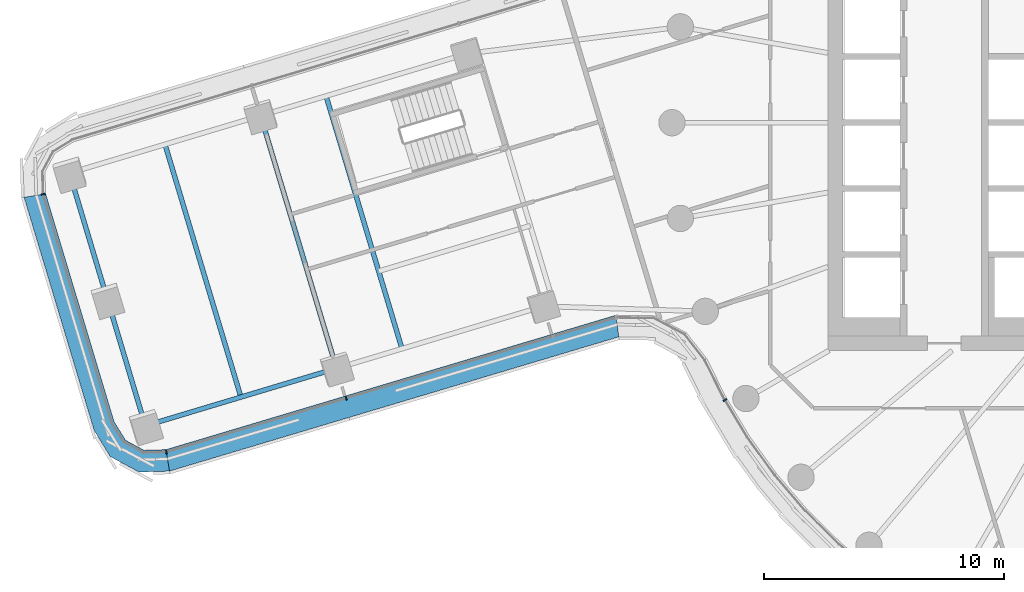
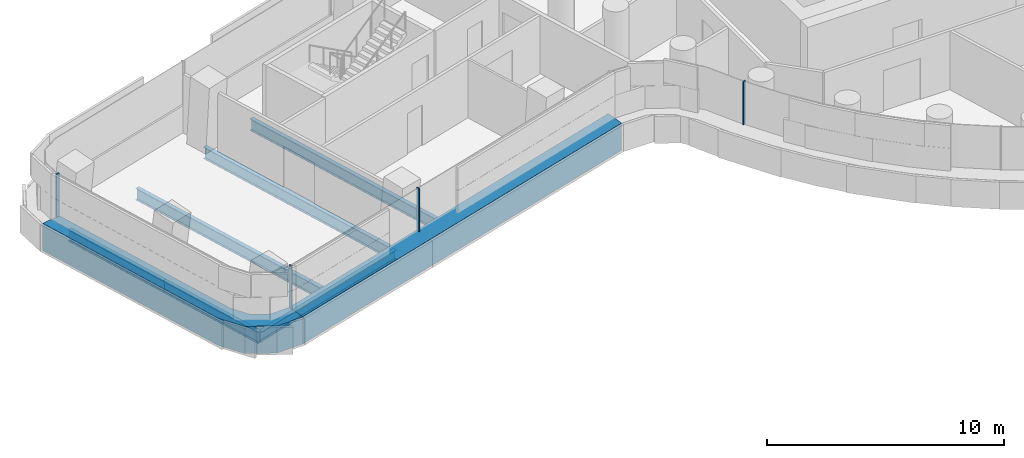
# One storey, part 4 of 32: 6 beams, 6 members, 3 elements without a shape of their own.
"""IFC4 building model written with IfcOpenShell, lengths in metres."""

from ifc_helpers import new_model, si_unit, direction, frame, origin, origin_2d, place, context, subcontext, project, spatial, polyline, rectangle, i_section, outline, extrude, material, layer, layer_set, material_profile, profile_set, type_object, element, aggregate, save


model = new_model("IFC4")

# Units and contexts
model_context = context("Model", 3, precision=1e-05, world=origin(), true_north=direction((0.0, 1.0)))
body_context = subcontext(model_context, "Body", "Model", "MODEL_VIEW")
ifc_project = project(units=[si_unit("LENGTHUNIT", "METRE"), si_unit("AREAUNIT", "SQUARE_METRE"), si_unit("VOLUMEUNIT", "CUBIC_METRE"), si_unit("PLANEANGLEUNIT", "RADIAN"), si_unit("MASSUNIT", "GRAM", prefix="KILO")], contexts=[model_context])

# Site, building, storey
site_placement = place(None, origin())
site = spatial("IfcSite", under=ifc_project, at=site_placement, CompositionType="ELEMENT")
building_placement = place(site_placement, origin())
building = spatial("IfcBuilding", under=site, at=building_placement, Name="Tamarind Cross Interchange Tower", CompositionType="ELEMENT")
storey_placement = place(building_placement, frame((0.0, 0.0, 94.75)))
storey = spatial("IfcBuildingStorey", under=building, at=storey_placement, Name="L22", CompositionType="ELEMENT", Elevation=94.75)

# Beams
ifc_material_1 = material(Name="Steel Q355B", Category="steel")
ifc_material_profile_1 = material_profile(ifc_material_1, i_section(OverallWidth=0.198974609375, OverallDepth=0.49609375, WebThickness=0.009033203125, FlangeThickness=0.013916015625, FilletRadius=0.012939453125, at=origin_2d()), Name="HN 496x199x9x14")
ifc_profile_set_1 = profile_set([ifc_material_profile_1], Name="Steel Q355B")
beam_type_1 = type_object("IfcBeamType", Name="Composite beam HN 496x199x9x14 Q355B", PredefinedType="BEAM", material=ifc_profile_set_1)
beam_1_placement = place(storey_placement, frame((-44.955810546875, -12.63720703125, -0.387939453125), z_axis=(0.957731748837, 0.287662818713, 0.0), x_axis=(-0.287662818713, 0.957731748837, 0.0)))
element("IfcBeam", 1, at=beam_1_placement, inside=storey, type_object=beam_type_1, Name="Beam W-edgeep2", PredefinedType="BEAM", context=body_context, shape_type="SweptSolid", body=[
    extrude(i_section(OverallWidth=0.198974609375, OverallDepth=0.49609375, WebThickness=0.009033203125, FlangeThickness=0.013916015625, FilletRadius=0.012939453125, at=origin_2d()), origin(), (0.0, 0.0, 1.0), 8.32080078125),
])
ifc_material_profile_2 = material_profile(ifc_material_1, i_section(OverallWidth=0.199951171875, OverallDepth=0.60009765625, WebThickness=0.010986328125, FlangeThickness=0.01708984375, FilletRadius=0.012939453125, at=origin_2d()), Name="HN 600x200x11x17")
ifc_profile_set_2 = profile_set([ifc_material_profile_2], Name="Steel Q355B")
beam_type_2 = type_object("IfcBeamType", Name="Composite beam HN 600x200x11x17 Q355B", PredefinedType="BEAM", material=ifc_profile_set_2)
for number, where, z_axis, x_axis, name in (
    (2, (-48.119873046875, -2.10205078125, -0.43994140625), (0.287641084217, -0.957738276707, 0.0), (0.957738276707, 0.287641084217, 0.0), "Beam W-tip0"),
    (3, (-46.537841796875, -7.36962890625, -0.43994140625), (0.287641084217, -0.957738276707, 0.0), (0.957738276707, 0.287641084217, 0.0), "Beam W-tip1"),
):
    element("IfcBeam", number, at=place(storey_placement, frame(where, z_axis=z_axis, x_axis=x_axis)), inside=storey, type_object=beam_type_2, Name=name, PredefinedType="BEAM", context=body_context, shape_type="SweptSolid", body=[
        extrude(i_section(OverallWidth=0.199951171875, OverallDepth=0.60009765625, WebThickness=0.010986328125, FlangeThickness=0.01708984375, FilletRadius=0.012939453125, at=origin_2d()), origin(), (0.0, 0.0, 1.0), 5.5),
    ])
beam_2_placement = place(storey_placement, frame((-37.42138671875, 1.111083984375, -0.43994140625), z_axis=(0.287641084217, -0.957738276707, 0.0), x_axis=(0.957738276707, 0.287641084217, 0.0)))
element("IfcBeam", 4, at=beam_2_placement, inside=storey, type_object=beam_type_2, Name="Beam W-x364", PredefinedType="BEAM", context=body_context, shape_type="SweptSolid", body=[
    extrude(i_section(OverallWidth=0.199951171875, OverallDepth=0.60009765625, WebThickness=0.010986328125, FlangeThickness=0.01708984375, FilletRadius=0.012939453125, at=origin_2d()), origin(), (0.0, 0.0, 1.0), 11.0),
])
beam_3_placement = place(storey_placement, frame((-40.15087890625, 0.291259765625, -0.43994140625), z_axis=(0.287647198598, -0.957736440331, 0.0), x_axis=(0.957736440331, 0.287647198598, 0.0)))
element("IfcBeam", 5, at=beam_3_placement, inside=storey, type_object=beam_type_2, Name="Beam W-x393", PredefinedType="BEAM", context=body_context, shape_type="SweptSolid", body=[
    extrude(i_section(OverallWidth=0.199951171875, OverallDepth=0.60009765625, WebThickness=0.010986328125, FlangeThickness=0.01708984375, FilletRadius=0.012939453125, at=origin_2d()), origin(), (0.0, 0.0, 1.0), 10.999755859375),
])
beam_4_placement = place(storey_placement, frame((-44.135498046875, -0.9052734375, -0.43994140625), z_axis=(0.287641084217, -0.957738276707, 0.0), x_axis=(0.957738276707, 0.287641084217, 0.0)))
element("IfcBeam", 6, at=beam_4_placement, inside=storey, type_object=beam_type_2, Name="Beam W-x435", PredefinedType="BEAM", context=body_context, shape_type="SweptSolid", body=[
    extrude(i_section(OverallWidth=0.199951171875, OverallDepth=0.60009765625, WebThickness=0.010986328125, FlangeThickness=0.01708984375, FilletRadius=0.012939453125, at=origin_2d()), origin(), (0.0, 0.0, 1.0), 11.0),
])

# Curtain wall, member
ifc_material_2 = material(Name="Aluminium 6063-T6", Category="aluminium")
ifc_layer = layer(ifc_material_2, 0.159912109375)
ifc_layer_set = layer_set([ifc_layer], Name="Aluminium 6063-T6")
curtain_wall_type = type_object("IfcCurtainWallType", Name="Office curtain wall, 9.0 m bays", PredefinedType="NOTDEFINED", material=ifc_layer_set)
curtain_wall_1_placement = place(storey_placement, origin())
curtain_wall_1 = element("IfcCurtainWall", 7, at=curtain_wall_1_placement, inside=storey, type_object=curtain_wall_type, Name="CWS-L22-04", PredefinedType="NOTDEFINED")
ifc_material_3 = material(Name="Aluminium and insulated spandrel panel", Category="aluminium")
member_type_1 = type_object("IfcMemberType", Name="Floor-edge blade transom", PredefinedType="USERDEFINED", material=ifc_material_3)
member_1_placement = place(storey_placement, origin())
member_1 = element("IfcMember", 8, at=member_1_placement, type_object=member_type_1, Name="CWT-L22-04", ObjectType="TRANSOM", PredefinedType="USERDEFINED", context=body_context, shape_type="SweptSolid", body=[
    extrude(outline(polyline([(-49.114013671875, -2.9638671875), (-46.26025390625, -12.465576171875), (-45.779052734375, -13.244384765625), (-45.009033203125, -13.65869140625), (-44.09375, -13.631103515625), (-43.948974609375, -14.52734375), (-45.22314453125, -14.5654296875), (-46.41796875, -13.922607421875), (-47.088134765625, -12.837890625), (-50.010009765625, -3.109375), (-49.114013671875, -2.9638671875)])), origin(), (0.0, 0.0, 1.0), 1.39990234375),
])

curtain_wall_2_placement = place(storey_placement, origin())
curtain_wall_2 = element("IfcCurtainWall", 9, at=curtain_wall_2_placement, inside=storey, type_object=curtain_wall_type, Name="CWS-L22-05", PredefinedType="NOTDEFINED")
member_2_placement = place(storey_placement, origin())
member_2 = element("IfcMember", 10, at=member_2_placement, type_object=member_type_1, Name="CWT-L22-05", ObjectType="TRANSOM", PredefinedType="USERDEFINED", context=body_context, shape_type="SweptSolid", body=[
    extrude(outline(polyline([(-44.09375, -13.631103515625), (-25.339111328125, -8.027099609375), (-25.2138671875, -8.928955078125), (-43.948974609375, -14.52734375), (-44.09375, -13.631103515625)])), origin(), (0.0, 0.0, 1.0), 1.39990234375),
])

# Member
ifc_material_profile_3 = material_profile(ifc_material_2, rectangle(XDim=0.06005859375, YDim=0.159912109375, at=origin_2d()), Name="Mullion CW1")
ifc_profile_set_3 = profile_set([ifc_material_profile_3], Name="Aluminium 6063-T6")
member_type_2 = type_object("IfcMemberType", Name="Mullion CW1", PredefinedType="MULLION", material=ifc_profile_set_3)
member_3_placement = place(storey_placement, frame((-49.213623046875, -2.97998046875, 1.39990234375), z_axis=(0.0, 0.0, 1.0), x_axis=(0.160170624285, -0.987089343026, 0.0)))
member_3 = element("IfcMember", 11, at=member_3_placement, type_object=member_type_2, Name="CWM-L22-04-00", PredefinedType="MULLION", context=body_context, shape_type="SweptSolid", body=[
    extrude(rectangle(XDim=0.06005859375, YDim=0.159912109375, at=origin_2d()), origin(), (0.0, 0.0, 1.0), 2.210205078125),
])

aggregate(curtain_wall_1, [member_3, member_1])

member_4_placement = place(storey_placement, frame((-44.07763671875, -13.730712890625, 1.39990234375), z_axis=(0.0, 0.0, 1.0), x_axis=(0.987200870111, 0.15948179223, 0.0)))
member_4 = element("IfcMember", 12, at=member_4_placement, type_object=member_type_2, Name="CWM-L22-05-00", PredefinedType="MULLION", context=body_context, shape_type="SweptSolid", body=[
    extrude(rectangle(XDim=0.06005859375, YDim=0.159912109375, at=origin_2d()), origin(), (0.0, 0.0, 1.0), 2.210205078125),
])

member_5_placement = place(storey_placement, frame((-36.582763671875, -11.4912109375, 1.39990234375), z_axis=(0.0, 0.0, 1.0), x_axis=(0.958138695884, 0.286304452373, 0.0)))
member_5 = element("IfcMember", 13, at=member_5_placement, type_object=member_type_2, Name="CWM-L22-05-01", PredefinedType="MULLION", context=body_context, shape_type="SweptSolid", body=[
    extrude(rectangle(XDim=0.06005859375, YDim=0.159912109375, at=origin_2d()), origin(), (0.0, 0.0, 1.0), 2.210205078125),
])

aggregate(curtain_wall_2, [member_4, member_5, member_2])

# Curtain wall, member
curtain_wall_3_placement = place(storey_placement, origin())
curtain_wall_3 = element("IfcCurtainWall", 14, at=curtain_wall_3_placement, inside=storey, type_object=curtain_wall_type, Name="CWS-L22-06", PredefinedType="NOTDEFINED")
member_6_placement = place(storey_placement, frame((-20.790771484375, -11.561767578125, 1.39990234375), z_axis=(0.0, 0.0, 1.0), x_axis=(0.515577308909, -0.856843065292, 0.0)))
member_6 = element("IfcMember", 15, at=member_6_placement, type_object=member_type_2, Name="CWM-L22-06-01", PredefinedType="MULLION", context=body_context, shape_type="SweptSolid", body=[
    extrude(rectangle(XDim=0.06005859375, YDim=0.159912109375, at=origin_2d()), origin(), (0.0, 0.0, 1.0), 2.210205078125),
])
aggregate(curtain_wall_3, [member_6])

save(model, "model.ifc")
